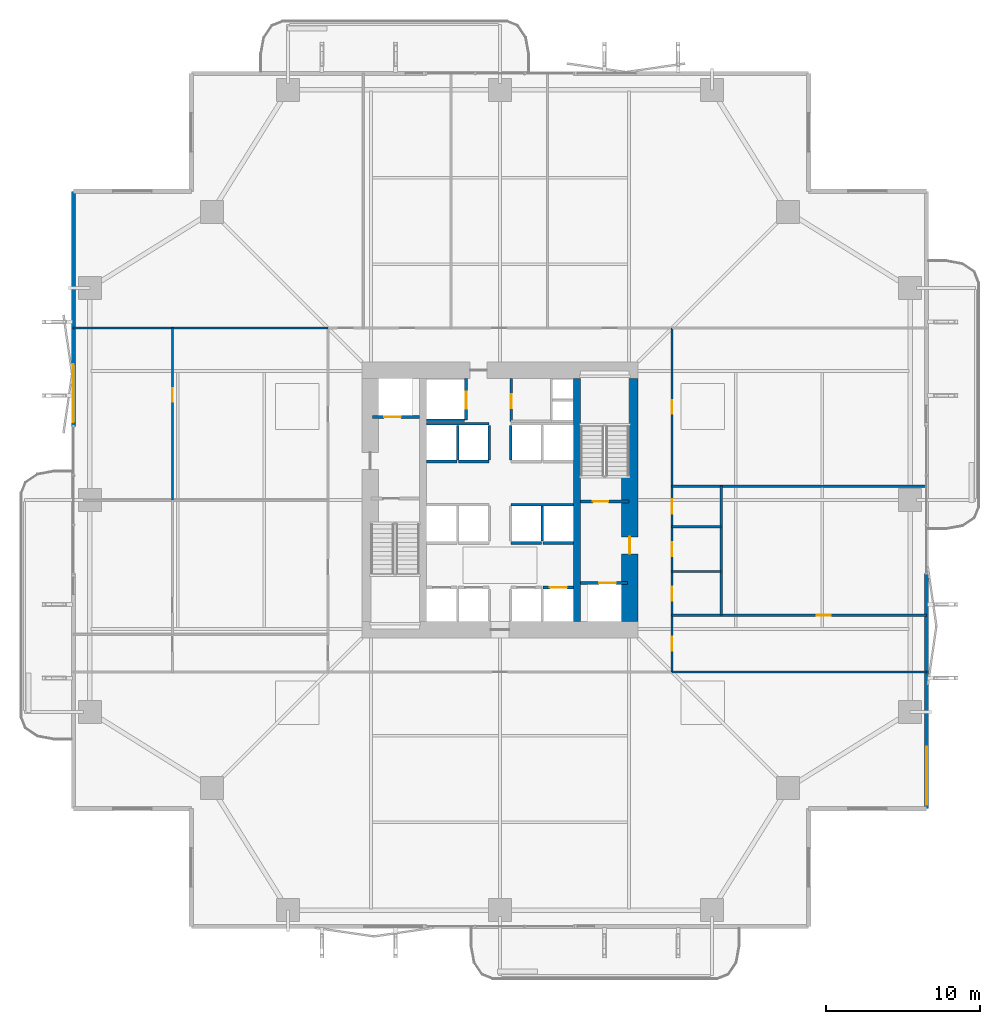
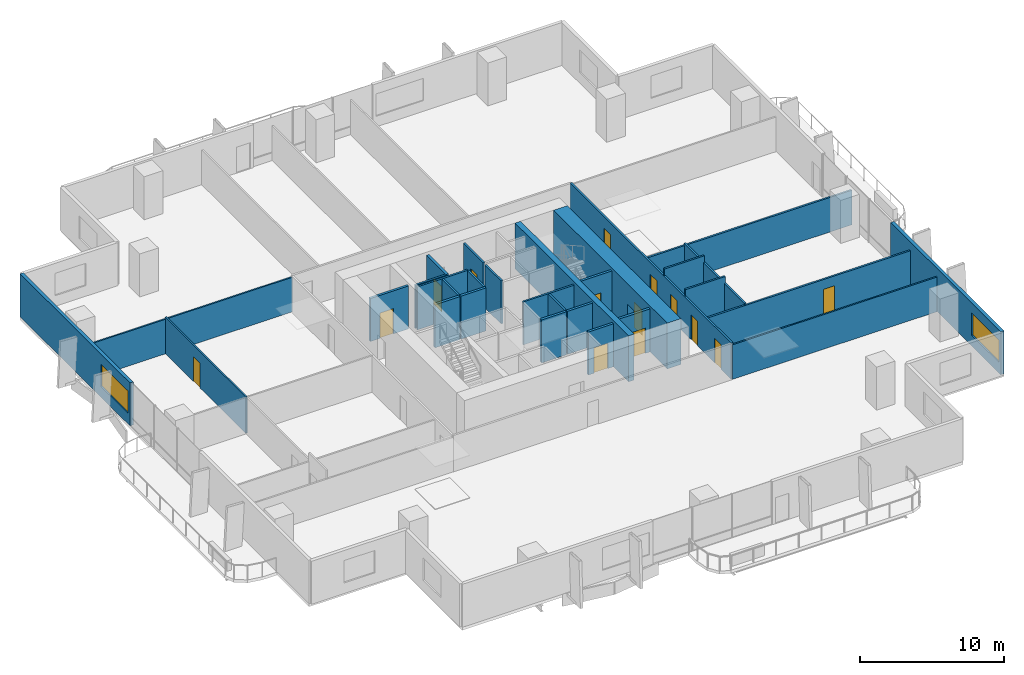
# One storey, part 18 of 24: 30 walls, 14 doors, 2 windows, 16 openings.
"""IFC4 building model written with IfcOpenShell, lengths in metres."""

from ifc_helpers import new_model, si_unit, direction, frame, frame_2d, origin, place, context, subcontext, project, spatial, rectangle, extrude, material, layer, layer_set, type_object, element, fill, save


model = new_model("IFC4")

# Units and contexts
model_context = context("Model", 3, precision=1e-05, world=origin(), true_north=direction((0.0, 1.0)))
body_context = subcontext(model_context, "Body", "Model", "MODEL_VIEW")
ifc_project = project(units=[si_unit("LENGTHUNIT", "METRE"), si_unit("AREAUNIT", "SQUARE_METRE"), si_unit("VOLUMEUNIT", "CUBIC_METRE"), si_unit("PLANEANGLEUNIT", "RADIAN"), si_unit("MASSUNIT", "GRAM", prefix="KILO")], contexts=[model_context])

# Site, building, storey
site_placement = place(None, origin())
site = spatial("IfcSite", under=ifc_project, at=site_placement, CompositionType="ELEMENT")
building_placement = place(site_placement, origin())
building = spatial("IfcBuilding", under=site, at=building_placement, Name="Belovzor Exchange Tower", CompositionType="ELEMENT")
storey_placement = place(building_placement, frame((0.0, 0.0, 72.89990234375)))
storey = spatial("IfcBuildingStorey", under=building, at=storey_placement, Name="L17", CompositionType="ELEMENT", Elevation=72.89990234375)

# Walls
ifc_material_1 = material(Name="Acoustic Plasterboard on Galvanised Studs", Category="gypsum")
ifc_layer_1 = layer(ifc_material_1, 0.1201171875)
ifc_layer_set_1 = layer_set([ifc_layer_1], Name="Acoustic Plasterboard on Galvanised Studs")
wall_type_1 = type_object("IfcWallType", Name="Acoustic Double-Stud Partition Wall 120", PredefinedType="PARTITIONING", material=ifc_layer_set_1)
for number, where, z_axis, x_axis, name in (
    (1, (40.0, 17.60009765625, 0.0), (0.0, 0.0, 1.0), (1.0, 0.0, 0.0), "W-P120 Partition Wall W-L17-END-SE"),
    (2, (1.030029296875, 40.0, 0.0), (0.0, 0.0, 1.0), (1.0, 0.0, 0.0), "W-P120 Partition Wall W-L17-END-NW"),
):
    element("IfcWall", number, at=place(storey_placement, frame(where, z_axis=z_axis, x_axis=x_axis)), inside=storey, type_object=wall_type_1, Name=name, PredefinedType="PARTITIONING", context=body_context, shape_type="SweptSolid", body=[
        extrude(rectangle(XDim=16.570068359375, YDim=0.1201171875, at=frame_2d((8.28515625, 0.0))), origin(), (0.0, 0.0, 1.0), 2.93505859375),
    ])

# Wall, opening, door
wall_1_placement = place(storey_placement, frame((7.47607421875, 28.787109375, 0.0), z_axis=(0.0, 0.0, 1.0), x_axis=(0.0, 1.0, 0.0)))
wall_1 = element("IfcWall", 3, at=wall_1_placement, inside=storey, type_object=wall_type_1, Name="W-P120 Partition Wall W-L17-WHDIV-2", PredefinedType="PARTITIONING", context=body_context, shape_type="SweptSolid", body=[
    extrude(rectangle(XDim=11.212890625, YDim=0.1201171875, at=frame_2d((5.6064453125, 0.0))), origin(), (0.0, 0.0, 1.0), 3.085205078125),
])
opening_1_placement = place(wall_1_placement, frame((6.39599609375, 0.0, 0.0)))
opening_1 = element("IfcOpeningElement", 4, at=opening_1_placement, cuts=wall_1, Name="Opening D-INT-090", PredefinedType="OPENING", context=body_context, shape_type="SweptSolid", body=[
    extrude(rectangle(XDim=0.89990234375, YDim=2.10009765625, at=frame_2d((0.449951171875, 1.050048828125))), frame((0.0, 0.070068359375, 0.0), z_axis=(0.0, -1.0, 0.0), x_axis=(1.0, 0.0, 0.0)), (0.0, 0.0, 1.0), 0.14013671875),
])
ifc_material_2 = material(Name="Veneered Hardwood Acoustic Leaf", Category="wood")
door_type_1 = type_object("IfcDoorType", Name="Trading Suite Acoustic Single Door 900x2100", OperationType="NOTDEFINED", PredefinedType="DOOR", material=ifc_material_2)
door_1_placement = place(opening_1_placement, origin())
door_1 = element("IfcDoor", 5, at=door_1_placement, inside=storey, type_object=door_type_1, Name="D-INT-090 Trading Suite Acoustic Single Door 900x2100", OperationType="SINGLE_SWING_LEFT", OverallHeight=2.10009765625, OverallWidth=0.89990234375, PredefinedType="DOOR", context=body_context, shape_type="SweptSolid", body=[
    extrude(rectangle(XDim=0.89990234375, YDim=2.10009765625, at=frame_2d((0.449951171875, 1.050048828125))), frame((0.0, 0.02490234375, 0.0), z_axis=(0.0, -1.0, 0.0), x_axis=(1.0, 0.0, 0.0)), (0.0, 0.0, 1.0), 0.050048828125),
])
fill(opening_1, door_1)

ifc_material_3 = material(Name="Fire-Rated Gypsum Block and Mineral Wool", Category="gypsum")
ifc_layer_2 = layer(ifc_material_3, 0.14990234375)
ifc_layer_set_2 = layer_set([ifc_layer_2], Name="Fire-Rated Gypsum Block and Mineral Wool")
wall_type_2 = type_object("IfcWallType", Name="Fire-Rated Gypsum Block Corridor Wall 150", PredefinedType="PARTITIONING", material=ifc_layer_set_2)
wall_2_placement = place(storey_placement, frame((29.52490234375, 33.925048828125, 0.0), z_axis=(0.0, 0.0, 1.0), x_axis=(0.0, 1.0, 0.0)))
wall_2 = element("IfcWall", 6, at=wall_2_placement, inside=storey, type_object=wall_type_2, Name="W-P150 Partition Wall W-CRV-L17-W", PredefinedType="PARTITIONING", context=body_context, shape_type="SweptSolid", body=[
    extrude(rectangle(XDim=2.77490234375, YDim=0.14990234375, at=frame_2d((1.387451171875, 0.0))), origin(), (0.0, 0.0, 1.0), 3.650146484375),
])
opening_2_placement = place(wall_2_placement, frame((0.85009765625, 0.0, 0.0)))
opening_2 = element("IfcOpeningElement", 7, at=opening_2_placement, cuts=wall_2, Name="Opening D-FD60-090", PredefinedType="OPENING", context=body_context, shape_type="SweptSolid", body=[
    extrude(rectangle(XDim=0.89990234375, YDim=2.10009765625, at=frame_2d((0.449951171875, 1.050048828125))), frame((0.0, 0.0849609375, 0.0), z_axis=(0.0, -1.0, 0.0), x_axis=(1.0, 0.0, 0.0)), (0.0, 0.0, 1.0), 0.169921875),
])
ifc_material_4 = material(Name="Acoustic Timber Fire Leaf", Category="wood")
door_type_2 = type_object("IfcDoorType", Name="Core Service & Restroom Fire Door 900x2100", OperationType="NOTDEFINED", PredefinedType="DOOR", material=ifc_material_4)
door_2_placement = place(opening_2_placement, origin())
door_2 = element("IfcDoor", 8, at=door_2_placement, inside=storey, type_object=door_type_2, Name="D-FD60-090 Core Service & Restroom Fire Door 900x2100", OperationType="SINGLE_SWING_LEFT", OverallHeight=2.10009765625, OverallWidth=0.89990234375, PredefinedType="DOOR", context=body_context, shape_type="SweptSolid", body=[
    extrude(rectangle(XDim=0.89990234375, YDim=2.10009765625, at=frame_2d((0.449951171875, 1.050048828125))), frame((0.0, 0.02490234375, 0.0), z_axis=(0.0, -1.0, 0.0), x_axis=(1.0, 0.0, 0.0)), (0.0, 0.0, 1.0), 0.050048828125),
])
fill(opening_2, door_2)

# Wall
wall_3_placement = place(storey_placement, frame((43.199951171875, 21.300048828125, 0.0), z_axis=(0.0, 0.0, 1.0), x_axis=(0.0, 1.0, 0.0)))
element("IfcWall", 9, at=wall_3_placement, inside=storey, type_object=wall_type_2, Name="W-P150 Partition Wall W-L17-WCE", PredefinedType="PARTITIONING", context=body_context, shape_type="SweptSolid", body=[
    extrude(rectangle(XDim=8.39990234375, YDim=0.14990234375, at=frame_2d((4.199951171875, 0.0))), origin(), (0.0, 0.0, 1.0), 3.085205078125),
])

# Wall, opening, door
wall_4_placement = place(storey_placement, frame((40.0, 21.300048828125, 0.0), z_axis=(0.0, 0.0, 1.0), x_axis=(1.0, 0.0, 0.0)))
wall_4 = element("IfcWall", 10, at=wall_4_placement, inside=storey, type_object=wall_type_2, Name="W-P150 Partition Wall W-L17-WCS", PredefinedType="PARTITIONING", context=body_context, shape_type="SweptSolid", body=[
    extrude(rectangle(XDim=16.570068359375, YDim=0.14990234375, at=frame_2d((8.28515625, 0.0))), origin(), (0.0, 0.0, 1.0), 2.93505859375),
])
opening_3_placement = place(wall_4_placement, frame((9.43505859375, 0.0, 0.0)))
opening_3 = element("IfcOpeningElement", 11, at=opening_3_placement, cuts=wall_4, Name="Opening D-INT-090", PredefinedType="OPENING", context=body_context, shape_type="SweptSolid", body=[
    extrude(rectangle(XDim=0.89990234375, YDim=2.10009765625, at=frame_2d((0.449951171875, 1.050048828125))), frame((0.0, 0.0849609375, 0.0), z_axis=(0.0, -1.0, 0.0), x_axis=(1.0, 0.0, 0.0)), (0.0, 0.0, 1.0), 0.169921875),
])
door_3_placement = place(opening_3_placement, origin())
door_3 = element("IfcDoor", 12, at=door_3_placement, inside=storey, type_object=door_type_1, Name="D-INT-090 Trading Suite Acoustic Single Door 900x2100", OperationType="SINGLE_SWING_LEFT", OverallHeight=2.10009765625, OverallWidth=0.89990234375, PredefinedType="DOOR", context=body_context, shape_type="SweptSolid", body=[
    extrude(rectangle(XDim=0.89990234375, YDim=2.10009765625, at=frame_2d((0.449951171875, 1.050048828125))), frame((0.0, 0.02490234375, 0.0), z_axis=(0.0, -1.0, 0.0), x_axis=(1.0, 0.0, 0.0)), (0.0, 0.0, 1.0), 0.050048828125),
])
fill(opening_3, door_3)

# Walls
wall_5_placement = place(storey_placement, frame((40.0, 29.699951171875, 0.0), z_axis=(0.0, 0.0, 1.0), x_axis=(1.0, 0.0, 0.0)))
element("IfcWall", 13, at=wall_5_placement, inside=storey, type_object=wall_type_2, Name="W-P150 Partition Wall W-L17-WCN", PredefinedType="PARTITIONING", context=body_context, shape_type="SweptSolid", body=[
    extrude(rectangle(XDim=16.570068359375, YDim=0.14990234375, at=frame_2d((8.28515625, 0.0))), origin(), (0.0, 0.0, 1.0), 2.93505859375),
])
for number, where, z_axis, x_axis, name in (
    (14, (40.0, 24.14990234375, 0.0), (0.0, 0.0, 1.0), (1.0, 0.0, 0.0), "W-P150 Partition Wall W-L17-WCD1"),
    (15, (40.0, 27.050048828125, 0.0), (0.0, 0.0, 1.0), (1.0, 0.0, 0.0), "W-P150 Partition Wall W-L17-WCD2"),
):
    element("IfcWall", number, at=place(storey_placement, frame(where, z_axis=z_axis, x_axis=x_axis)), inside=storey, type_object=wall_type_2, Name=name, PredefinedType="PARTITIONING", context=body_context, shape_type="SweptSolid", body=[
        extrude(rectangle(XDim=3.199951171875, YDim=0.14990234375, at=frame_2d((1.60009765625, 0.0))), origin(), (0.0, 0.0, 1.0), 3.650146484375),
    ])

# Wall, openings, doors
wall_6_placement = place(storey_placement, frame((40.0, 17.60009765625, 0.0), z_axis=(0.0, 0.0, 1.0), x_axis=(0.0, 1.0, 0.0)))
wall_6 = element("IfcWall", 16, at=wall_6_placement, inside=storey, type_object=wall_type_2, Name="W-P150 Partition Wall W-L17-CE", PredefinedType="PARTITIONING", context=body_context, shape_type="SweptSolid", body=[
    extrude(rectangle(XDim=22.39990234375, YDim=0.14990234375, at=frame_2d((11.199951171875, 0.0))), origin(), (0.0, 0.0, 1.0), 3.085205078125),
])
opening_4_placement = place(wall_6_placement, frame((1.39990234375, 0.0, 0.0)))
opening_4 = element("IfcOpeningElement", 17, at=opening_4_placement, cuts=wall_6, Name="Opening D-INT-090", PredefinedType="OPENING", context=body_context, shape_type="SweptSolid", body=[
    extrude(rectangle(XDim=0.89990234375, YDim=2.10009765625, at=frame_2d((0.449951171875, 1.050048828125))), frame((0.0, 0.0849609375, 0.0), z_axis=(0.0, -1.0, 0.0), x_axis=(1.0, 0.0, 0.0)), (0.0, 0.0, 1.0), 0.169921875),
])
opening_5_placement = place(wall_6_placement, frame((4.64990234375, 0.0, 0.0)))
opening_5 = element("IfcOpeningElement", 18, at=opening_5_placement, cuts=wall_6, Name="Opening D-FD60-090", PredefinedType="OPENING", context=body_context, shape_type="SweptSolid", body=[
    extrude(rectangle(XDim=0.89990234375, YDim=2.10009765625, at=frame_2d((0.449951171875, 1.050048828125))), frame((0.0, 0.0849609375, 0.0), z_axis=(0.0, -1.0, 0.0), x_axis=(1.0, 0.0, 0.0)), (0.0, 0.0, 1.0), 0.169921875),
])
opening_6_placement = place(wall_6_placement, frame((7.550048828125, 0.0, 0.0)))
opening_6 = element("IfcOpeningElement", 19, at=opening_6_placement, cuts=wall_6, Name="Opening D-FD60-090", PredefinedType="OPENING", context=body_context, shape_type="SweptSolid", body=[
    extrude(rectangle(XDim=0.89990234375, YDim=2.10009765625, at=frame_2d((0.449951171875, 1.050048828125))), frame((0.0, 0.0849609375, 0.0), z_axis=(0.0, -1.0, 0.0), x_axis=(1.0, 0.0, 0.0)), (0.0, 0.0, 1.0), 0.169921875),
])
opening_7_placement = place(wall_6_placement, frame((10.300048828125, 0.0, 0.0)))
opening_7 = element("IfcOpeningElement", 20, at=opening_7_placement, cuts=wall_6, Name="Opening D-FD60-095", PredefinedType="OPENING", context=body_context, shape_type="SweptSolid", body=[
    extrude(rectangle(XDim=0.949951171875, YDim=2.10009765625, at=frame_2d((0.47509765625, 1.050048828125))), frame((0.0, 0.0849609375, 0.0), z_axis=(0.0, -1.0, 0.0), x_axis=(1.0, 0.0, 0.0)), (0.0, 0.0, 1.0), 0.169921875),
])
opening_8_placement = place(wall_6_placement, frame((16.800048828125, 0.0, 0.0)))
opening_8 = element("IfcOpeningElement", 21, at=opening_8_placement, cuts=wall_6, Name="Opening D-INT-090", PredefinedType="OPENING", context=body_context, shape_type="SweptSolid", body=[
    extrude(rectangle(XDim=0.89990234375, YDim=2.10009765625, at=frame_2d((0.449951171875, 1.050048828125))), frame((0.0, 0.0849609375, 0.0), z_axis=(0.0, -1.0, 0.0), x_axis=(1.0, 0.0, 0.0)), (0.0, 0.0, 1.0), 0.169921875),
])
ifc_material_5 = material(Name="Moisture-Resistant Timber Fire Leaf", Category="wood")
door_type_3 = type_object("IfcDoorType", Name="Accessible Restroom Wide Fire Door 950x2100", OperationType="NOTDEFINED", PredefinedType="DOOR", material=ifc_material_5)
door_4_placement = place(opening_7_placement, origin())
door_4 = element("IfcDoor", 22, at=door_4_placement, inside=storey, type_object=door_type_3, Name="D-FD60-095 Accessible Restroom Wide Fire Door 950x2100", OperationType="SINGLE_SWING_LEFT", OverallHeight=2.10009765625, OverallWidth=0.949951171875, PredefinedType="DOOR", context=body_context, shape_type="SweptSolid", body=[
    extrude(rectangle(XDim=0.949951171875, YDim=2.10009765625, at=frame_2d((0.47509765625, 1.050048828125))), frame((0.0, 0.02490234375, 0.0), z_axis=(0.0, -1.0, 0.0), x_axis=(1.0, 0.0, 0.0)), (0.0, 0.0, 1.0), 0.050048828125),
])
fill(opening_7, door_4)
door_5_placement = place(opening_5_placement, origin())
door_5 = element("IfcDoor", 23, at=door_5_placement, inside=storey, type_object=door_type_2, Name="D-FD60-090 Core Service & Restroom Fire Door 900x2100", OperationType="SINGLE_SWING_LEFT", OverallHeight=2.10009765625, OverallWidth=0.89990234375, PredefinedType="DOOR", context=body_context, shape_type="SweptSolid", body=[
    extrude(rectangle(XDim=0.89990234375, YDim=2.10009765625, at=frame_2d((0.449951171875, 1.050048828125))), frame((0.0, 0.02490234375, 0.0), z_axis=(0.0, -1.0, 0.0), x_axis=(1.0, 0.0, 0.0)), (0.0, 0.0, 1.0), 0.050048828125),
])
fill(opening_5, door_5)
door_6_placement = place(opening_6_placement, origin())
door_6 = element("IfcDoor", 24, at=door_6_placement, inside=storey, type_object=door_type_2, Name="D-FD60-090 Core Service & Restroom Fire Door 900x2100", OperationType="SINGLE_SWING_RIGHT", OverallHeight=2.10009765625, OverallWidth=0.89990234375, PredefinedType="DOOR", context=body_context, shape_type="SweptSolid", body=[
    extrude(rectangle(XDim=0.89990234375, YDim=2.10009765625, at=frame_2d((0.449951171875, 1.050048828125))), frame((0.0, 0.02490234375, 0.0), z_axis=(0.0, -1.0, 0.0), x_axis=(1.0, 0.0, 0.0)), (0.0, 0.0, 1.0), 0.050048828125),
])
fill(opening_6, door_6)
door_7_placement = place(opening_4_placement, origin())
door_7 = element("IfcDoor", 25, at=door_7_placement, inside=storey, type_object=door_type_1, Name="D-INT-090 Trading Suite Acoustic Single Door 900x2100", OperationType="SINGLE_SWING_LEFT", OverallHeight=2.10009765625, OverallWidth=0.89990234375, PredefinedType="DOOR", context=body_context, shape_type="SweptSolid", body=[
    extrude(rectangle(XDim=0.89990234375, YDim=2.10009765625, at=frame_2d((0.449951171875, 1.050048828125))), frame((0.0, 0.02490234375, 0.0), z_axis=(0.0, -1.0, 0.0), x_axis=(1.0, 0.0, 0.0)), (0.0, 0.0, 1.0), 0.050048828125),
])
fill(opening_4, door_7)
door_8_placement = place(opening_8_placement, origin())
door_8 = element("IfcDoor", 26, at=door_8_placement, inside=storey, type_object=door_type_1, Name="D-INT-090 Trading Suite Acoustic Single Door 900x2100", OperationType="SINGLE_SWING_RIGHT", OverallHeight=2.10009765625, OverallWidth=0.89990234375, PredefinedType="DOOR", context=body_context, shape_type="SweptSolid", body=[
    extrude(rectangle(XDim=0.89990234375, YDim=2.10009765625, at=frame_2d((0.449951171875, 1.050048828125))), frame((0.0, 0.02490234375, 0.0), z_axis=(0.0, -1.0, 0.0), x_axis=(1.0, 0.0, 0.0)), (0.0, 0.0, 1.0), 0.050048828125),
])
fill(opening_8, door_8)

# Wall, opening, window
ifc_material_6 = material(Name="Precast concrete C40/50", Category="concrete")
ifc_layer_3 = layer(ifc_material_6, 0.260009765625)
ifc_layer_set_3 = layer_set([ifc_layer_3], Name="Precast concrete C40/50")
wall_type_3 = type_object("IfcWallType", Name="Precast Concrete Perimeter Loggia Frame Wall 260", PredefinedType="SOLIDWALL", material=ifc_layer_set_3)
wall_7_placement = place(storey_placement, frame((1.030029296875, 33.60009765625, 0.0), z_axis=(0.0, 0.0, 1.0), x_axis=(0.0, 1.0, 0.0)))
wall_7 = element("IfcWall", 27, at=wall_7_placement, inside=storey, type_object=wall_type_3, Name="W-EXT260 Precast Concrete Perimeter Loggia Frame Wall 260 L17", PredefinedType="SOLIDWALL", context=body_context, shape_type="SweptSolid", body=[
    extrude(rectangle(XDim=15.2998046875, YDim=0.260009765625, at=frame_2d((7.64990234375, 0.0))), origin(), (0.0, 0.0, 1.0), 3.650146484375),
])
opening_9_placement = place(wall_7_placement, frame((0.25, 0.0, 0.89990234375)))
opening_9 = element("IfcOpeningElement", 28, at=opening_9_placement, cuts=wall_7, Name="Opening WN-RIB380", PredefinedType="OPENING", context=body_context, shape_type="SweptSolid", body=[
    extrude(rectangle(XDim=3.800048828125, YDim=1.89990234375, at=frame_2d((1.89990234375, 0.949951171875))), frame((0.0, 0.139892578125, 0.0), z_axis=(0.0, -1.0, 0.0), x_axis=(1.0, 0.0, 0.0)), (0.0, 0.0, 1.0), 0.280029296875),
])
ifc_material_7 = material(Name="Thermally Broken Aluminium and Triple Glazing", Category="aluminium")
window_type = type_object("IfcWindowType", Name="Streamline Moderne Horizontal Ribbon Window 3800x1900", PartitioningType="SINGLE_PANEL", PredefinedType="WINDOW", material=ifc_material_7)
window_1_placement = place(opening_9_placement, origin())
window_1 = element("IfcWindow", 29, at=window_1_placement, inside=storey, type_object=window_type, Name="WN-RIB380 Streamline Moderne Horizontal Ribbon Window 3800x1900", OverallHeight=1.89990234375, OverallWidth=3.800048828125, PartitioningType="SINGLE_PANEL", PredefinedType="WINDOW", context=body_context, shape_type="SweptSolid", body=[
    extrude(rectangle(XDim=3.800048828125, YDim=1.89990234375, at=frame_2d((1.89990234375, 0.949951171875))), frame((0.0, 0.030029296875, 0.0), z_axis=(0.0, -1.0, 0.0), x_axis=(1.0, 0.0, 0.0)), (0.0, 0.0, 1.0), 0.06005859375),
])
fill(opening_9, window_1)

wall_8_placement = place(storey_placement, frame((56.570068359375, 24.0, 0.0), z_axis=(0.0, 0.0, 1.0), x_axis=(0.0, -1.0, 0.0)))
wall_8 = element("IfcWall", 30, at=wall_8_placement, inside=storey, type_object=wall_type_3, Name="W-EXT260 Precast Concrete Perimeter Loggia Frame Wall 260 L17", PredefinedType="SOLIDWALL", context=body_context, shape_type="SweptSolid", body=[
    extrude(rectangle(XDim=15.300048828125, YDim=0.260009765625, at=frame_2d((7.64990234375, 0.0))), origin(), (0.0, 0.0, 1.0), 3.650146484375),
])
opening_10_placement = place(wall_8_placement, frame((11.25, 0.0, 0.89990234375)))
opening_10 = element("IfcOpeningElement", 31, at=opening_10_placement, cuts=wall_8, Name="Opening WN-RIB380", PredefinedType="OPENING", context=body_context, shape_type="SweptSolid", body=[
    extrude(rectangle(XDim=3.800048828125, YDim=1.89990234375, at=frame_2d((1.89990234375, 0.949951171875))), frame((0.0, 0.139892578125, 0.0), z_axis=(0.0, -1.0, 0.0), x_axis=(1.0, 0.0, 0.0)), (0.0, 0.0, 1.0), 0.280029296875),
])
window_2_placement = place(opening_10_placement, origin())
window_2 = element("IfcWindow", 32, at=window_2_placement, inside=storey, type_object=window_type, Name="WN-RIB380 Streamline Moderne Horizontal Ribbon Window 3800x1900", OverallHeight=1.89990234375, OverallWidth=3.800048828125, PartitioningType="SINGLE_PANEL", PredefinedType="WINDOW", context=body_context, shape_type="SweptSolid", body=[
    extrude(rectangle(XDim=3.800048828125, YDim=1.89990234375, at=frame_2d((1.89990234375, 0.949951171875))), frame((0.0, 0.030029296875, 0.0), z_axis=(0.0, -1.0, 0.0), x_axis=(1.0, 0.0, 0.0)), (0.0, 0.0, 1.0), 0.06005859375),
])
fill(opening_10, window_2)

# Walls
ifc_material_8 = material(Name="Concrete C50/60", Category="concrete")
ifc_layer_4 = layer(ifc_material_8, 0.449951171875)
ifc_layer_set_4 = layer_set([ifc_layer_4], Name="Concrete C50/60")
wall_type_4 = type_object("IfcWallType", Name="Reinforced Concrete Core Internal Web Wall 450", PredefinedType="SHEAR", material=ifc_layer_set_4)
wall_9_placement = place(storey_placement, frame((33.824951171875, 20.89990234375, 0.0), z_axis=(0.0, 0.0, 1.0), x_axis=(0.0, 1.0, 0.0)))
element("IfcWall", 33, at=wall_9_placement, inside=storey, type_object=wall_type_4, Name="CW-W045 Core Internal Web Wall L17 ER", PredefinedType="SHEAR", context=body_context, shape_type="SweptSolid", body=[
    extrude(rectangle(XDim=15.800048828125, YDim=0.449951171875, at=frame_2d((7.89990234375, 0.0))), origin(), (0.0, 0.0, 1.0), 3.900146484375),
])
ifc_material_9 = material(Name="Concrete C50/60", Category="concrete")
ifc_layer_5 = layer(ifc_material_9, 0.14990234375)
ifc_layer_set_5 = layer_set([ifc_layer_5], Name="Concrete C50/60")
wall_type_5 = type_object("IfcWallType", Name="Reinforced Concrete Core Riser Shear Wall 150", PredefinedType="SHEAR", material=ifc_layer_set_5)
wall_10_placement = place(storey_placement, frame((24.0, 34.0, 0.0), z_axis=(0.0, 0.0, 1.0), x_axis=(1.0, 0.0, 0.0)))
element("IfcWall", 34, at=wall_10_placement, inside=storey, type_object=wall_type_5, Name="W-C150S Core Shaft Wall W-SH-L17-SL-01S", PredefinedType="SHEAR", context=body_context, shape_type="SweptSolid", body=[
    extrude(rectangle(XDim=2.47998046875, YDim=0.14990234375, at=frame_2d((1.239990234375, 0.0))), origin(), (0.0, 0.0, 1.0), 3.650146484375),
])
wall_11_placement = place(storey_placement, frame((29.5, 28.5, 0.0), z_axis=(0.0, 0.0, 1.0), x_axis=(1.0, 0.0, 0.0)))
element("IfcWall", 35, at=wall_11_placement, inside=storey, type_object=wall_type_5, Name="W-C150S Core Shaft Wall W-SHB-L17-PLM-NE", PredefinedType="SHEAR", context=body_context, shape_type="SweptSolid", body=[
    extrude(rectangle(XDim=4.080078125, YDim=0.14990234375, at=frame_2d((2.0400390625, 0.0))), origin(), (0.0, 0.0, 1.0), 3.650146484375),
])
wall_12_placement = place(storey_placement, frame((31.550048828125, 26.1201171875, 0.0), z_axis=(0.0, 0.0, 1.0), x_axis=(0.0, 1.0, 0.0)))
element("IfcWall", 36, at=wall_12_placement, inside=storey, type_object=wall_type_5, Name="W-C150S Core Shaft Wall W-SHD-L17-PLM-4", PredefinedType="SHEAR", context=body_context, shape_type="SweptSolid", body=[
    extrude(rectangle(XDim=2.27978515625, YDim=0.14990234375, at=frame_2d((1.139892578125, 0.0))), origin(), (0.0, 0.0, 1.0), 3.650146484375),
])
wall_13_placement = place(storey_placement, frame((24.02001953125, 33.760009765625, 0.0), z_axis=(0.0, 0.0, 1.0), x_axis=(1.0, 0.0, 0.0)))
element("IfcWall", 37, at=wall_13_placement, inside=storey, type_object=wall_type_5, Name="W-C150S Core Shaft Wall W-SHB-L17-PLH-NW", PredefinedType="SHEAR", context=body_context, shape_type="SweptSolid", body=[
    extrude(rectangle(XDim=4.080078125, YDim=0.14990234375, at=frame_2d((2.0400390625, 0.0))), origin(), (0.0, 0.0, 1.0), 3.650146484375),
])
for number, where, z_axis, x_axis, name in (
    (38, (26.050048828125, 31.419921875, 0.0), (0.0, 0.0, 1.0), (0.0, 1.0, 0.0), "W-C150S Core Shaft Wall W-SHD-L17-PLH-1"),
    (39, (28.10009765625, 31.419921875, 0.0), (0.0, 0.0, 1.0), (0.0, 1.0, 0.0), "W-C150S Core Shaft Wall W-SHD-L17-PLH-2"),
    (40, (29.5, 31.419921875, 0.0), (0.0, 0.0, 1.0), (0.0, 1.0, 0.0), "W-C150S Core Shaft Wall W-SHD-L17-PLH-3"),
):
    element("IfcWall", number, at=place(storey_placement, frame(where, z_axis=z_axis, x_axis=x_axis)), inside=storey, type_object=wall_type_5, Name=name, PredefinedType="SHEAR", context=body_context, shape_type="SweptSolid", body=[
        extrude(rectangle(XDim=2.239990234375, YDim=0.14990234375, at=frame_2d((1.1201171875, 0.0))), origin(), (0.0, 0.0, 1.0), 3.650146484375),
    ])

# Wall, opening, door
ifc_material_10 = material(Name="Concrete C50/60", Category="concrete")
ifc_layer_6 = layer(ifc_material_10, 0.199951171875)
ifc_layer_set_6 = layer_set([ifc_layer_6], Name="Concrete C50/60")
wall_type_6 = type_object("IfcWallType", Name="Reinforced Concrete Core Shaft Shear Wall 200", PredefinedType="SHEAR", material=ifc_layer_set_6)
wall_14_placement = place(storey_placement, frame((34.050048828125, 28.699951171875, 0.0), z_axis=(0.0, 0.0, 1.0), x_axis=(1.0, 0.0, 0.0)))
wall_14 = element("IfcWall", 41, at=wall_14_placement, inside=storey, type_object=wall_type_6, Name="W-C200S Core Shaft Wall W-CORE-L17-FFLE2", PredefinedType="SHEAR", context=body_context, shape_type="SweptSolid", body=[
    extrude(rectangle(XDim=3.14990234375, YDim=0.199951171875, at=frame_2d((1.574951171875, 0.0))), origin(), (0.0, 0.0, 1.0), 3.650146484375),
])
opening_11_placement = place(wall_14_placement, frame((0.800048828125, 0.0, 0.0)))
opening_11 = element("IfcOpeningElement", 42, at=opening_11_placement, cuts=wall_14, Name="Opening D-FD90-100", PredefinedType="OPENING", context=body_context, shape_type="SweptSolid", body=[
    extrude(rectangle(XDim=1.0, YDim=2.10009765625, at=frame_2d((0.5, 1.050048828125))), frame((0.0, 0.10986328125, 0.0), z_axis=(0.0, -1.0, 0.0), x_axis=(1.0, 0.0, 0.0)), (0.0, 0.0, 1.0), 0.219970703125),
])
ifc_material_11 = material(Name="Fire-Rated Galvanised Steel Leaf", Category="steel")
door_type_4 = type_object("IfcDoorType", Name="Protected Stairwell Single Fire Door 1000x2100", OperationType="NOTDEFINED", PredefinedType="DOOR", material=ifc_material_11)
door_9_placement = place(opening_11_placement, origin())
door_9 = element("IfcDoor", 43, at=door_9_placement, inside=storey, type_object=door_type_4, Name="D-FD90-100 Protected Stairwell Single Fire Door 1000x2100", OperationType="SINGLE_SWING_LEFT", OverallHeight=2.10009765625, OverallWidth=1.0, PredefinedType="DOOR", context=body_context, shape_type="SweptSolid", body=[
    extrude(rectangle(XDim=1.0, YDim=2.10009765625, at=frame_2d((0.5, 1.050048828125))), frame((0.0, 0.02490234375, 0.0), z_axis=(0.0, -1.0, 0.0), x_axis=(1.0, 0.0, 0.0)), (0.0, 0.0, 1.0), 0.050048828125),
])
fill(opening_11, door_9)

wall_15_placement = place(storey_placement, frame((20.5, 34.199951171875, 0.0), z_axis=(0.0, 0.0, 1.0), x_axis=(1.0, 0.0, 0.0)))
wall_15 = element("IfcWall", 44, at=wall_15_placement, inside=storey, type_object=wall_type_6, Name="W-C200S Core Shaft Wall W-SH-L17-FFL-01", PredefinedType="SHEAR", context=body_context, shape_type="SweptSolid", body=[
    extrude(rectangle(XDim=3.050048828125, YDim=0.199951171875, at=frame_2d((1.52490234375, 0.0))), origin(), (0.0, 0.0, 1.0), 3.650146484375),
])
opening_12_placement = place(wall_15_placement, frame((0.75, 0.0, 0.0)))
opening_12 = element("IfcOpeningElement", 45, at=opening_12_placement, cuts=wall_15, Name="Opening LD-110", PredefinedType="OPENING", context=body_context, shape_type="SweptSolid", body=[
    extrude(rectangle(XDim=1.10009765625, YDim=2.14990234375, at=frame_2d((0.550048828125, 1.074951171875))), frame((0.0, 0.10986328125, 0.0), z_axis=(0.0, -1.0, 0.0), x_axis=(1.0, 0.0, 0.0)), (0.0, 0.0, 1.0), 0.219970703125),
])
ifc_material_12 = material(Name="Stainless Steel Grade 304", Category="steel")
door_type_5 = type_object("IfcDoorType", Name="Automated Stainless Steel Lift Landing Door 1100x2150", OperationType="SLIDING_TO_RIGHT", PredefinedType="DOOR", material=ifc_material_12)
door_10_placement = place(opening_12_placement, origin())
door_10 = element("IfcDoor", 46, at=door_10_placement, inside=storey, type_object=door_type_5, Name="LD-110 Automated Stainless Steel Lift Landing Door 1100x2150", OperationType="SLIDING_TO_RIGHT", OverallHeight=2.14990234375, OverallWidth=1.10009765625, PredefinedType="DOOR", context=body_context, shape_type="SweptSolid", body=[
    extrude(rectangle(XDim=1.10009765625, YDim=2.14990234375, at=frame_2d((0.550048828125, 1.074951171875))), frame((0.0, 0.02490234375, 0.0), z_axis=(0.0, -1.0, 0.0), x_axis=(1.0, 0.0, 0.0)), (0.0, 0.0, 1.0), 0.050048828125),
])
fill(opening_12, door_10)

wall_16_placement = place(storey_placement, frame((34.050048828125, 23.39990234375, 0.0), z_axis=(0.0, 0.0, 1.0), x_axis=(1.0, 0.0, 0.0)))
wall_16 = element("IfcWall", 47, at=wall_16_placement, inside=storey, type_object=wall_type_6, Name="W-C200S Core Shaft Wall W-SH-L17-FFL-02", PredefinedType="SHEAR", context=body_context, shape_type="SweptSolid", body=[
    extrude(rectangle(XDim=3.050048828125, YDim=0.199951171875, at=frame_2d((1.52490234375, 0.0))), origin(), (0.0, 0.0, 1.0), 3.650146484375),
])
opening_13_placement = place(wall_16_placement, frame((1.199951171875, 0.0, 0.0)))
opening_13 = element("IfcOpeningElement", 48, at=opening_13_placement, cuts=wall_16, Name="Opening LD-110", PredefinedType="OPENING", context=body_context, shape_type="SweptSolid", body=[
    extrude(rectangle(XDim=1.10009765625, YDim=2.14990234375, at=frame_2d((0.550048828125, 1.074951171875))), frame((0.0, 0.10986328125, 0.0), z_axis=(0.0, -1.0, 0.0), x_axis=(1.0, 0.0, 0.0)), (0.0, 0.0, 1.0), 0.219970703125),
])
door_11_placement = place(opening_13_placement, origin())
door_11 = element("IfcDoor", 49, at=door_11_placement, inside=storey, type_object=door_type_5, Name="LD-110 Automated Stainless Steel Lift Landing Door 1100x2150", OperationType="SLIDING_TO_RIGHT", OverallHeight=2.14990234375, OverallWidth=1.10009765625, PredefinedType="DOOR", context=body_context, shape_type="SweptSolid", body=[
    extrude(rectangle(XDim=1.10009765625, YDim=2.14990234375, at=frame_2d((0.550048828125, 1.074951171875))), frame((0.0, 0.02490234375, 0.0), z_axis=(0.0, -1.0, 0.0), x_axis=(1.0, 0.0, 0.0)), (0.0, 0.0, 1.0), 0.050048828125),
])
fill(opening_13, door_11)

wall_17_placement = place(storey_placement, frame((26.60009765625, 34.0, 0.0), z_axis=(0.0, 0.0, 1.0), x_axis=(0.0, 1.0, 0.0)))
wall_17 = element("IfcWall", 50, at=wall_17_placement, inside=storey, type_object=wall_type_6, Name="W-C200S Core Shaft Wall W-SH-L17-SL-01", PredefinedType="SHEAR", context=body_context, shape_type="SweptSolid", body=[
    extrude(rectangle(XDim=2.699951171875, YDim=0.199951171875, at=frame_2d((1.35009765625, 0.0))), origin(), (0.0, 0.0, 1.0), 3.650146484375),
])
opening_14_placement = place(wall_17_placement, frame((0.75, 0.0, 0.0)))
opening_14 = element("IfcOpeningElement", 51, at=opening_14_placement, cuts=wall_17, Name="Opening LD-110", PredefinedType="OPENING", context=body_context, shape_type="SweptSolid", body=[
    extrude(rectangle(XDim=1.10009765625, YDim=2.14990234375, at=frame_2d((0.550048828125, 1.074951171875))), frame((0.0, 0.10986328125, 0.0), z_axis=(0.0, -1.0, 0.0), x_axis=(1.0, 0.0, 0.0)), (0.0, 0.0, 1.0), 0.219970703125),
])
door_12_placement = place(opening_14_placement, origin())
door_12 = element("IfcDoor", 52, at=door_12_placement, inside=storey, type_object=door_type_5, Name="LD-110 Automated Stainless Steel Lift Landing Door 1100x2150", OperationType="SLIDING_TO_RIGHT", OverallHeight=2.14990234375, OverallWidth=1.10009765625, PredefinedType="DOOR", context=body_context, shape_type="SweptSolid", body=[
    extrude(rectangle(XDim=1.10009765625, YDim=2.14990234375, at=frame_2d((0.550048828125, 1.074951171875))), frame((0.0, 0.02490234375, 0.0), z_axis=(0.0, -1.0, 0.0), x_axis=(1.0, 0.0, 0.0)), (0.0, 0.0, 1.0), 0.050048828125),
])
fill(opening_14, door_12)

wall_18_placement = place(storey_placement, frame((31.60009765625, 23.10009765625, 0.0), z_axis=(0.0, 0.0, 1.0), x_axis=(1.0, 0.0, 0.0)))
wall_18 = element("IfcWall", 53, at=wall_18_placement, inside=storey, type_object=wall_type_6, Name="W-C200S Core Shaft Wall W-SH-L17-PL-L4", PredefinedType="SHEAR", context=body_context, shape_type="SweptSolid", body=[
    extrude(rectangle(XDim=2.0, YDim=0.199951171875, at=frame_2d((1.0, 0.0))), origin(), (0.0, 0.0, 1.0), 3.650146484375),
])
opening_15_placement = place(wall_18_placement, frame((0.449951171875, 0.0, 0.0)))
opening_15 = element("IfcOpeningElement", 54, at=opening_15_placement, cuts=wall_18, Name="Opening LD-110", PredefinedType="OPENING", context=body_context, shape_type="SweptSolid", body=[
    extrude(rectangle(XDim=1.10009765625, YDim=2.14990234375, at=frame_2d((0.550048828125, 1.074951171875))), frame((0.0, 0.10986328125, 0.0), z_axis=(0.0, -1.0, 0.0), x_axis=(1.0, 0.0, 0.0)), (0.0, 0.0, 1.0), 0.219970703125),
])
door_13_placement = place(opening_15_placement, origin())
door_13 = element("IfcDoor", 55, at=door_13_placement, inside=storey, type_object=door_type_5, Name="LD-110 Automated Stainless Steel Lift Landing Door 1100x2150", OperationType="SLIDING_TO_RIGHT", OverallHeight=2.14990234375, OverallWidth=1.10009765625, PredefinedType="DOOR", context=body_context, shape_type="SweptSolid", body=[
    extrude(rectangle(XDim=1.10009765625, YDim=2.14990234375, at=frame_2d((0.550048828125, 1.074951171875))), frame((0.0, 0.02490234375, 0.0), z_axis=(0.0, -1.0, 0.0), x_axis=(1.0, 0.0, 0.0)), (0.0, 0.0, 1.0), 0.050048828125),
])
fill(opening_15, door_13)

# Walls
for number, where, z_axis, x_axis, name in (
    (56, (29.5, 26.0, 0.0), (0.0, 0.0, 1.0), (1.0, 0.0, 0.0), "W-C200S Core Shaft Wall W-SH-L17-PL-M3"),
    (57, (31.60009765625, 26.0, 0.0), (0.0, 0.0, 1.0), (1.0, 0.0, 0.0), "W-C200S Core Shaft Wall W-SH-L17-PL-M4"),
    (58, (24.0, 31.300048828125, 0.0), (0.0, 0.0, 1.0), (1.0, 0.0, 0.0), "W-C200S Core Shaft Wall W-SH-L17-PL-H1"),
    (59, (26.10009765625, 31.300048828125, 0.0), (0.0, 0.0, 1.0), (1.0, 0.0, 0.0), "W-C200S Core Shaft Wall W-SH-L17-PL-H2"),
):
    element("IfcWall", number, at=place(storey_placement, frame(where, z_axis=z_axis, x_axis=x_axis)), inside=storey, type_object=wall_type_6, Name=name, PredefinedType="SHEAR", context=body_context, shape_type="SweptSolid", body=[
        extrude(rectangle(XDim=2.0, YDim=0.199951171875, at=frame_2d((1.0, 0.0))), origin(), (0.0, 0.0, 1.0), 3.650146484375),
    ])

# Wall, opening, door
ifc_material_13 = material(Name="Concrete C60/75", Category="concrete")
ifc_layer_7 = layer(ifc_material_13, 1.10009765625)
ifc_layer_set_7 = layer_set([ifc_layer_7], Name="Concrete C60/75")
wall_type_7 = type_object("IfcWallType", Name="Reinforced Concrete Core Shear Wall 1100", PredefinedType="SHEAR", material=ifc_layer_set_7)
wall_19_placement = place(storey_placement, frame((37.25, 20.89990234375, 0.0), z_axis=(0.0, 0.0, 1.0), x_axis=(0.0, 1.0, 0.0)))
wall_19 = element("IfcWall", 60, at=wall_19_placement, inside=storey, type_object=wall_type_7, Name="CW-S110 Core Shear Wall L17 E", PredefinedType="SHEAR", context=body_context, shape_type="SweptSolid", body=[
    extrude(rectangle(XDim=15.800048828125, YDim=1.10009765625, at=frame_2d((7.89990234375, 0.0))), origin(), (0.0, 0.0, 1.0), 3.900146484375),
])
opening_16_placement = place(wall_19_placement, frame((4.39990234375, 0.0, 0.0)))
opening_16 = element("IfcOpeningElement", 61, at=opening_16_placement, cuts=wall_19, Name="Opening D-FD90-110", PredefinedType="OPENING", context=body_context, shape_type="SweptSolid", body=[
    extrude(rectangle(XDim=1.10009765625, YDim=2.14990234375, at=frame_2d((0.550048828125, 1.074951171875))), frame((0.0, 0.56005859375, 0.0), z_axis=(0.0, -1.0, 0.0), x_axis=(1.0, 0.0, 0.0)), (0.0, 0.0, 1.0), 1.1201171875),
])
ifc_material_14 = material(Name="Fire-Rated Galvanised Steel Leaf", Category="steel")
door_type_6 = type_object("IfcDoorType", Name="Protected Escape Vestibule Fire Door 1100x2150", OperationType="NOTDEFINED", PredefinedType="DOOR", material=ifc_material_14)
door_14_placement = place(opening_16_placement, origin())
door_14 = element("IfcDoor", 62, at=door_14_placement, inside=storey, type_object=door_type_6, Name="D-FD90-110 Protected Escape Vestibule Fire Door 1100x2150", OperationType="SINGLE_SWING_RIGHT", OverallHeight=2.14990234375, OverallWidth=1.10009765625, PredefinedType="DOOR", context=body_context, shape_type="SweptSolid", body=[
    extrude(rectangle(XDim=1.10009765625, YDim=2.14990234375, at=frame_2d((0.550048828125, 1.074951171875))), frame((0.0, 0.02490234375, 0.0), z_axis=(0.0, -1.0, 0.0), x_axis=(1.0, 0.0, 0.0)), (0.0, 0.0, 1.0), 0.050048828125),
])
fill(opening_16, door_14)

save(model, "model.ifc")
